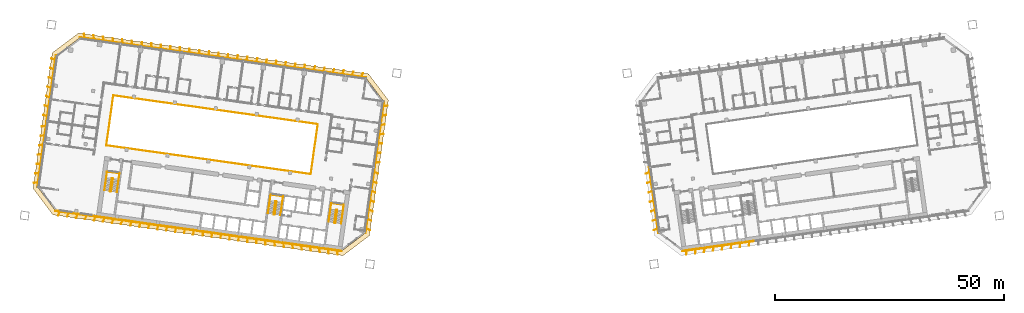
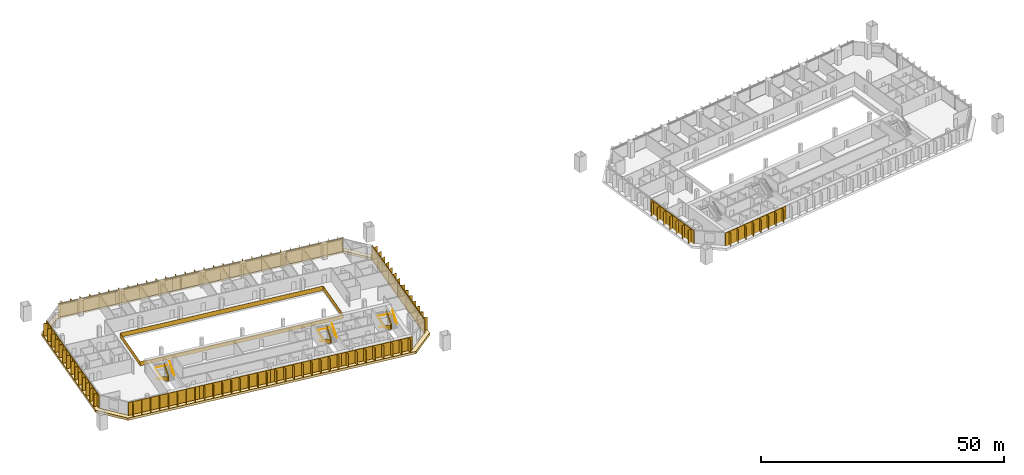
# One storey, part 23 of 24: 15 shading devices, 7 railings, 1 covering.
"""IFC4 building model written with IfcOpenShell, lengths in metres."""

from ifc_helpers import new_model, si_unit, direction, frame, origin, origin_2d, place, context, subcontext, project, spatial, polyline, rectangle, outline, extrude, material, layer, layer_set, type_object, element, save


model = new_model("IFC4")

# Units and contexts
model_context = context("Model", 3, precision=1e-05, world=origin(), true_north=direction((0.0, 1.0)))
body_context = subcontext(model_context, "Body", "Model", "MODEL_VIEW")
ifc_project = project(units=[si_unit("LENGTHUNIT", "METRE"), si_unit("AREAUNIT", "SQUARE_METRE"), si_unit("VOLUMEUNIT", "CUBIC_METRE"), si_unit("PLANEANGLEUNIT", "RADIAN"), si_unit("MASSUNIT", "GRAM", prefix="KILO")], contexts=[model_context])

# Site, building, storey
site_placement = place(None, origin())
site = spatial("IfcSite", under=ifc_project, at=site_placement, CompositionType="ELEMENT")
building_placement = place(site_placement, origin())
building = spatial("IfcBuilding", under=site, at=building_placement, Name="Mirante Cascada Hotel Towers", CompositionType="ELEMENT")
storey_placement = place(building_placement, frame((0.0, 0.0, 47.1)))
storey = spatial("IfcBuildingStorey", under=building, at=storey_placement, Name="L08", CompositionType="ELEMENT", Elevation=47.1)

# Railing
ifc_material_1 = material(Name="Toughened glass with stainless steel handrail", Category="steel")
railing_type_1 = type_object("IfcRailingType", Name="Atrium guard 1100 glass balustrade", PredefinedType="GUARDRAIL", material=ifc_material_1)
railing_1_placement = place(storey_placement, frame((-43.8418, -3.4881, 0.0)))
element("IfcRailing", 1, at=railing_1_placement, inside=storey, type_object=railing_type_1, Name="GUARD 1-L08-1", PredefinedType="GUARDRAIL", context=body_context, shape_type="SweptSolid", body=[
    extrude(rectangle(XDim=0.048, YDim=0.048, at=origin_2d()), frame((0.0, 0.0, 1.076), z_axis=(-0.9902681, 0.1391732, 0.0), x_axis=(-0.1391732, -0.9902681, 0.0)), (0.0, 0.0, 1.0), 45.0),
    extrude(rectangle(XDim=0.02, YDim=1.052, at=origin_2d()), frame((0.0, 0.0, 0.526), z_axis=(-0.9902681, 0.1391732, 0.0), x_axis=(-0.1391732, -0.9902681, 0.0)), (0.0, 0.0, 1.0), 45.0),
    extrude(rectangle(XDim=0.048, YDim=0.048, at=origin_2d()), frame((-44.5621, 6.2628, 1.076), z_axis=(0.1391721, 0.9902682, 0.0), x_axis=(-0.9902682, 0.1391721, 0.0)), (0.0, 0.0, 1.0), 11.0001),
    extrude(rectangle(XDim=0.02, YDim=1.052, at=origin_2d()), frame((-44.5621, 6.2628, 0.526), z_axis=(0.1391721, 0.9902682, 0.0), x_axis=(-0.9902682, 0.1391721, 0.0)), (0.0, 0.0, 1.0), 11.0001),
    extrude(rectangle(XDim=0.048, YDim=0.048, at=origin_2d()), frame((-43.0312, 17.1558, 1.076), z_axis=(0.9902681, -0.1391732, 0.0), x_axis=(0.1391732, 0.9902681, 0.0)), (0.0, 0.0, 1.0), 45.0),
    extrude(rectangle(XDim=0.02, YDim=1.052, at=origin_2d()), frame((-43.0312, 17.1558, 0.526), z_axis=(0.9902681, -0.1391732, 0.0), x_axis=(0.1391732, 0.9902681, 0.0)), (0.0, 0.0, 1.0), 45.0),
    extrude(rectangle(XDim=0.048, YDim=0.048, at=origin_2d()), frame((1.5309, 10.893, 1.076), z_axis=(-0.1391721, -0.9902682, 0.0), x_axis=(0.9902682, -0.1391721, 0.0)), (0.0, 0.0, 1.0), 11.0001),
    extrude(rectangle(XDim=0.02, YDim=1.052, at=origin_2d()), frame((1.5309, 10.893, 0.526), z_axis=(-0.1391721, -0.9902682, 0.0), x_axis=(0.9902682, -0.1391721, 0.0)), (0.0, 0.0, 1.0), 11.0001),
])

# Covering
ifc_material_2 = material(Name="Precast concrete C40/50 white", Category="concrete")
ifc_layer = layer(ifc_material_2, 0.6)
ifc_layer_set = layer_set([ifc_layer], Name="Precast concrete SUNSHADE band 1000x600")
covering_type = type_object("IfcCoveringType", Name="Precast concrete SUNSHADE band 1000x600", PredefinedType="CLADDING", material=ifc_layer_set)
covering_placement = place(storey_placement, frame((0.0, 0.0, -0.45)))
element("IfcCovering", 2, at=covering_placement, inside=storey, type_object=covering_type, Name="Precast concrete SUNSHADE band T1 L08", PredefinedType="CLADDING", context=body_context, shape_type="SweptSolid", body=[
    extrude(outline(polyline([(-104.3652, -6.6094), (-100.2139, 22.9287), (-94.4698, 27.2572), (-31.2626, 18.374), (-26.9341, 12.6299), (-31.0854, -16.9082), (-36.8295, -21.2367), (-100.0367, -12.3535), (-104.3652, -6.6094)]), holes=[polyline([(-27.982, 12.3589), (-31.8119, 17.4414), (-94.1988, 26.2093), (-99.2813, 22.3794), (-103.3173, -6.3384), (-99.4874, -11.4209), (-37.1005, -20.1888), (-32.018, -16.3589), (-27.982, 12.3589)])]), origin(), (0.0, 0.0, 1.0), 0.6),
])

# Railings
ifc_material_3 = material(Name="Painted steel", Category="steel")
railing_type_2 = type_object("IfcRailingType", Name="Stair guard 1100 steel balustrade", PredefinedType="GUARDRAIL", material=ifc_material_3)
railing_2_placement = place(storey_placement, frame((-38.1178, -11.2603, 0.0)))
element("IfcRailing", 3, at=railing_2_placement, inside=storey, type_object=railing_type_2, Name="L08 ST1-A stair guard 1", PredefinedType="GUARDRAIL", context=body_context, shape_type="SweptSolid", body=[
    extrude(rectangle(XDim=0.048, YDim=0.048, at=origin_2d()), frame((0.0, 0.0, 1.076), z_axis=(-0.9903326, 0.1387133, 0.0), x_axis=(-0.1387133, -0.9903326, 0.0)), (0.0, 0.0, 1.0), 0.1499),
    extrude(rectangle(XDim=0.02, YDim=1.052, at=origin_2d()), frame((0.0, 0.0, 0.526), z_axis=(-0.9903326, 0.1387133, 0.0), x_axis=(-0.1387133, -0.9903326, 0.0)), (0.0, 0.0, 1.0), 0.1499),
    extrude(rectangle(XDim=0.048, YDim=0.048, at=origin_2d()), frame((-0.1485, 0.0208, 1.076), z_axis=(-0.7991505, -0.6011309, 0.0), x_axis=(0.6011309, -0.7991505, 0.0)), (0.0, 0.9254529, 0.3788627), 0.1866),
    extrude(rectangle(XDim=0.02, YDim=1.052, at=origin_2d()), frame((-0.1485, 0.0208, 0.526), z_axis=(-0.7991505, -0.6011309, 0.0), x_axis=(0.6011309, -0.7991505, 0.0)), (0.0, 0.9254529, 0.3788627), 0.1866),
    extrude(rectangle(XDim=0.048, YDim=0.048, at=origin_2d()), frame((-0.205, -0.0217, 1.2487), z_axis=(-0.139176, -0.9902677, 0.0), x_axis=(0.9902677, -0.139176, 0.0)), (0.0, 0.5250212, 0.8510891), 3.29),
    extrude(rectangle(XDim=0.02, YDim=1.052, at=origin_2d()), frame((-0.205, -0.0217, 0.6987), z_axis=(-0.139176, -0.9902677, 0.0), x_axis=(0.9902677, -0.139176, 0.0)), (0.0, 0.5250212, 0.8510891), 3.29),
    extrude(rectangle(XDim=0.048, YDim=0.048, at=origin_2d()), frame((-0.5947, -2.7945, 2.976), z_axis=(0.9270311, -0.3749843, 0.0), x_axis=(0.3749843, 0.9270311, 0.0)), (0.0, 0.0, 1.0), 0.2061),
    extrude(rectangle(XDim=0.02, YDim=1.052, at=origin_2d()), frame((-0.5947, -2.7945, 2.426), z_axis=(0.9270311, -0.3749843, 0.0), x_axis=(0.3749843, 0.9270311, 0.0)), (0.0, 0.0, 1.0), 0.2061),
    extrude(rectangle(XDim=0.048, YDim=0.048, at=origin_2d()), frame((-0.4036, -2.8718, 2.976), z_axis=(-0.9902408, 0.1393672, 0.0), x_axis=(-0.1393672, -0.9902408, 0.0)), (0.0, 0.0, 1.0), 0.15),
    extrude(rectangle(XDim=0.02, YDim=1.052, at=origin_2d()), frame((-0.4036, -2.8718, 2.426), z_axis=(-0.9902408, 0.1393672, 0.0), x_axis=(-0.1393672, -0.9902408, 0.0)), (0.0, 0.0, 1.0), 0.15),
    extrude(rectangle(XDim=0.048, YDim=0.048, at=origin_2d()), frame((-0.5521, -2.8509, 2.976), z_axis=(0.9944948, 0.1047858, 0.0), x_axis=(-0.1047858, 0.9944948, 0.0)), (0.0, 0.6422034, 0.7665343), 0.2689),
    extrude(rectangle(XDim=0.02, YDim=1.052, at=origin_2d()), frame((-0.5521, -2.8509, 2.426), z_axis=(0.9944948, 0.1047858, 0.0), x_axis=(-0.1047858, 0.9944948, 0.0)), (0.0, 0.6422034, 0.7665343), 0.2689),
    extrude(rectangle(XDim=0.048, YDim=0.048, at=origin_2d()), frame((-0.3471, -2.8293, 3.1487), z_axis=(0.139176, 0.9902677, 0.0), x_axis=(-0.9902677, 0.139176, 0.0)), (0.0, 0.5250212, 0.8510891), 3.29),
    extrude(rectangle(XDim=0.02, YDim=1.052, at=origin_2d()), frame((-0.3471, -2.8293, 2.5987), z_axis=(0.139176, 0.9902677, 0.0), x_axis=(-0.9902677, 0.139176, 0.0)), (0.0, 0.5250212, 0.8510891), 3.29),
])
railing_3_placement = place(storey_placement, frame((-51.3379, -9.4024, 0.0)))
element("IfcRailing", 4, at=railing_3_placement, inside=storey, type_object=railing_type_2, Name="L08 ST1-B stair guard 1", PredefinedType="GUARDRAIL", context=body_context, shape_type="SweptSolid", body=[
    extrude(rectangle(XDim=0.048, YDim=0.048, at=origin_2d()), frame((0.0, 0.0, 1.076), z_axis=(-0.9902408, 0.1393672, 0.0), x_axis=(-0.1393672, -0.9902408, 0.0)), (0.0, 0.0, 1.0), 0.15),
    extrude(rectangle(XDim=0.02, YDim=1.052, at=origin_2d()), frame((0.0, 0.0, 0.526), z_axis=(-0.9902408, 0.1393672, 0.0), x_axis=(-0.1393672, -0.9902408, 0.0)), (0.0, 0.0, 1.0), 0.15),
    extrude(rectangle(XDim=0.048, YDim=0.048, at=origin_2d()), frame((-0.1485, 0.0209, 1.076), z_axis=(-0.7984711, -0.6020331, 0.0), x_axis=(0.6020331, -0.7984711, 0.0)), (0.0, 0.9253398, 0.3791387), 0.1866),
    extrude(rectangle(XDim=0.02, YDim=1.052, at=origin_2d()), frame((-0.1485, 0.0209, 0.526), z_axis=(-0.7984711, -0.6020331, 0.0), x_axis=(0.6020331, -0.7984711, 0.0)), (0.0, 0.9253398, 0.3791387), 0.1866),
    extrude(rectangle(XDim=0.048, YDim=0.048, at=origin_2d()), frame((-0.205, -0.0217, 1.2487), z_axis=(-0.139181, -0.990267, 0.0), x_axis=(0.990267, -0.139181, 0.0)), (0.0, 0.5250347, 0.8510808), 3.2899),
    extrude(rectangle(XDim=0.02, YDim=1.052, at=origin_2d()), frame((-0.205, -0.0217, 0.6987), z_axis=(-0.139181, -0.990267, 0.0), x_axis=(0.990267, -0.139181, 0.0)), (0.0, 0.5250347, 0.8510808), 3.2899),
    extrude(rectangle(XDim=0.048, YDim=0.048, at=origin_2d()), frame((-0.5947, -2.7944, 2.976), z_axis=(0.9268624, -0.3754011, 0.0), x_axis=(0.3754011, 0.9268624, 0.0)), (0.0, 0.0, 1.0), 0.2062),
    extrude(rectangle(XDim=0.02, YDim=1.052, at=origin_2d()), frame((-0.5947, -2.7944, 2.426), z_axis=(0.9268624, -0.3754011, 0.0), x_axis=(0.3754011, 0.9268624, 0.0)), (0.0, 0.0, 1.0), 0.2062),
    extrude(rectangle(XDim=0.048, YDim=0.048, at=origin_2d()), frame((-0.4036, -2.8718, 2.976), z_axis=(-0.9902408, 0.1393672, 0.0), x_axis=(-0.1393672, -0.9902408, 0.0)), (0.0, 0.0, 1.0), 0.15),
    extrude(rectangle(XDim=0.02, YDim=1.052, at=origin_2d()), frame((-0.4036, -2.8718, 2.426), z_axis=(-0.9902408, 0.1393672, 0.0), x_axis=(-0.1393672, -0.9902408, 0.0)), (0.0, 0.0, 1.0), 0.15),
    extrude(rectangle(XDim=0.048, YDim=0.048, at=origin_2d()), frame((-0.5521, -2.8509, 2.976), z_axis=(0.9944441, 0.1052656, 0.0), x_axis=(-0.1052656, 0.9944441, 0.0)), (0.0, 0.6421842, 0.7665504), 0.2689),
    extrude(rectangle(XDim=0.02, YDim=1.052, at=origin_2d()), frame((-0.5521, -2.8509, 2.426), z_axis=(0.9944441, 0.1052656, 0.0), x_axis=(-0.1052656, 0.9944441, 0.0)), (0.0, 0.6421842, 0.7665504), 0.2689),
    extrude(rectangle(XDim=0.048, YDim=0.048, at=origin_2d()), frame((-0.3471, -2.8292, 3.1487), z_axis=(0.139181, 0.990267, 0.0), x_axis=(-0.990267, 0.139181, 0.0)), (0.0, 0.5250347, 0.8510808), 3.2899),
    extrude(rectangle(XDim=0.02, YDim=1.052, at=origin_2d()), frame((-0.3471, -2.8292, 2.5987), z_axis=(0.139181, 0.990267, 0.0), x_axis=(-0.990267, 0.139181, 0.0)), (0.0, 0.5250347, 0.8510808), 3.2899),
])
railing_4_placement = place(storey_placement, frame((-86.9875, -4.3922, 0.0)))
element("IfcRailing", 5, at=railing_4_placement, inside=storey, type_object=railing_type_2, Name="L08 ST1-C stair guard 1", PredefinedType="GUARDRAIL", context=body_context, shape_type="SweptSolid", body=[
    extrude(rectangle(XDim=0.048, YDim=0.048, at=origin_2d()), frame((0.0, 0.0, 1.076), z_axis=(-0.9902537, 0.1392753, 0.0), x_axis=(-0.1392753, -0.9902537, 0.0)), (0.0, 0.0, 1.0), 0.1501),
    extrude(rectangle(XDim=0.02, YDim=1.052, at=origin_2d()), frame((0.0, 0.0, 0.526), z_axis=(-0.9902537, 0.1392753, 0.0), x_axis=(-0.1392753, -0.9902537, 0.0)), (0.0, 0.0, 1.0), 0.1501),
    extrude(rectangle(XDim=0.048, YDim=0.048, at=origin_2d()), frame((-0.1486, 0.0209, 1.076), z_axis=(-0.7986386, -0.601811, 0.0), x_axis=(0.601811, -0.7986386, 0.0)), (0.0, 0.925603, 0.3784959), 0.1866),
    extrude(rectangle(XDim=0.02, YDim=1.052, at=origin_2d()), frame((-0.1486, 0.0209, 0.526), z_axis=(-0.7986386, -0.601811, 0.0), x_axis=(0.601811, -0.7986386, 0.0)), (0.0, 0.925603, 0.3784959), 0.1866),
    extrude(rectangle(XDim=0.048, YDim=0.048, at=origin_2d()), frame((-0.205, -0.0216, 1.2487), z_axis=(-0.139176, -0.9902677, 0.0), x_axis=(0.9902677, -0.139176, 0.0)), (0.0, 0.5250212, 0.8510891), 3.29),
    extrude(rectangle(XDim=0.02, YDim=1.052, at=origin_2d()), frame((-0.205, -0.0216, 0.6987), z_axis=(-0.139176, -0.9902677, 0.0), x_axis=(0.9902677, -0.139176, 0.0)), (0.0, 0.5250212, 0.8510891), 3.29),
    extrude(rectangle(XDim=0.048, YDim=0.048, at=origin_2d()), frame((-0.5947, -2.7944, 2.976), z_axis=(0.9270311, -0.3749843, 0.0), x_axis=(0.3749843, 0.9270311, 0.0)), (0.0, 0.0, 1.0), 0.2061),
    extrude(rectangle(XDim=0.02, YDim=1.052, at=origin_2d()), frame((-0.5947, -2.7944, 2.426), z_axis=(0.9270311, -0.3749843, 0.0), x_axis=(0.3749843, 0.9270311, 0.0)), (0.0, 0.0, 1.0), 0.2061),
    extrude(rectangle(XDim=0.048, YDim=0.048, at=origin_2d()), frame((-0.4036, -2.8717, 2.976), z_axis=(-0.9903454, 0.1386217, 0.0), x_axis=(-0.1386217, -0.9903454, 0.0)), (0.0, 0.0, 1.0), 0.15),
    extrude(rectangle(XDim=0.02, YDim=1.052, at=origin_2d()), frame((-0.4036, -2.8717, 2.426), z_axis=(-0.9903454, 0.1386217, 0.0), x_axis=(-0.1386217, -0.9903454, 0.0)), (0.0, 0.0, 1.0), 0.15),
    extrude(rectangle(XDim=0.048, YDim=0.048, at=origin_2d()), frame((-0.5522, -2.8509, 2.976), z_axis=(0.9944441, 0.1052656, 0.0), x_axis=(-0.1052656, 0.9944441, 0.0)), (0.0, 0.6421842, 0.7665504), 0.2689),
    extrude(rectangle(XDim=0.02, YDim=1.052, at=origin_2d()), frame((-0.5522, -2.8509, 2.426), z_axis=(0.9944441, 0.1052656, 0.0), x_axis=(-0.1052656, 0.9944441, 0.0)), (0.0, 0.6421842, 0.7665504), 0.2689),
    extrude(rectangle(XDim=0.048, YDim=0.048, at=origin_2d()), frame((-0.3472, -2.8292, 3.1487), z_axis=(0.139176, 0.9902677, 0.0), x_axis=(-0.9902677, 0.139176, 0.0)), (0.0, 0.5250212, 0.8510891), 3.29),
    extrude(rectangle(XDim=0.02, YDim=1.052, at=origin_2d()), frame((-0.3472, -2.8292, 2.5987), z_axis=(0.139176, 0.9902677, 0.0), x_axis=(-0.9902677, 0.139176, 0.0)), (0.0, 0.5250212, 0.8510891), 3.29),
])
ifc_material_4 = material(Name="Painted steel", Category="steel")
railing_type_3 = type_object("IfcRailingType", Name="Stair handrail 900 steel tube", PredefinedType="HANDRAIL", material=ifc_material_4)
railing_5_placement = place(storey_placement, frame((-39.5606, -11.1081, 0.1727)))
element("IfcRailing", 6, at=railing_5_placement, inside=storey, type_object=railing_type_3, Name="L08 ST1-A stair handrail 1", PredefinedType="HANDRAIL", context=body_context, shape_type="SweptSolid", body=[
    extrude(rectangle(XDim=0.048, YDim=0.048, at=origin_2d()), frame((0.0, 0.0, 0.876), z_axis=(-0.139181, -0.990267, 0.0), x_axis=(0.990267, -0.139181, 0.0)), (0.0, 0.5250347, 0.8510808), 3.2899),
    extrude(rectangle(XDim=0.048, YDim=0.048, at=origin_2d()), frame((-0.3897, -2.7727, 2.6033), z_axis=(0.1391707, 0.9902684, 0.0), x_axis=(-0.9902684, 0.1391707, 0.0)), (0.0, 0.0420846, 0.999114), 4.1036),
    extrude(rectangle(XDim=0.048, YDim=0.048, at=origin_2d()), frame((0.1809, 1.2874, 2.776), z_axis=(0.9902691, -0.1391657, 0.0), x_axis=(0.1391657, 0.9902691, 0.0)), (0.0, 0.0, 1.0), 2.75),
    extrude(rectangle(XDim=0.048, YDim=0.048, at=origin_2d()), frame((2.9041, 0.9047, 2.776), z_axis=(-0.1391707, -0.9902684, 0.0), x_axis=(0.9902684, -0.1391707, 0.0)), (0.0, 0.0, 1.0), 4.1),
    extrude(rectangle(XDim=0.048, YDim=0.048, at=origin_2d()), frame((2.3335, -3.1554, 2.776), z_axis=(0.139181, 0.990267, 0.0), x_axis=(-0.990267, 0.139181, 0.0)), (0.0, 0.5250347, 0.8510808), 3.2899),
])
railing_6_placement = place(storey_placement, frame((-52.7807, -9.2501, 0.1727)))
element("IfcRailing", 7, at=railing_6_placement, inside=storey, type_object=railing_type_3, Name="L08 ST1-B stair handrail 1", PredefinedType="HANDRAIL", context=body_context, shape_type="SweptSolid", body=[
    extrude(rectangle(XDim=0.048, YDim=0.048, at=origin_2d()), frame((0.0, 0.0, 0.876), z_axis=(-0.139181, -0.990267, 0.0), x_axis=(0.990267, -0.139181, 0.0)), (0.0, 0.5250347, 0.8510808), 3.2899),
    extrude(rectangle(XDim=0.048, YDim=0.048, at=origin_2d()), frame((-0.3897, -2.7727, 2.6033), z_axis=(0.1391707, 0.9902684, 0.0), x_axis=(-0.9902684, 0.1391707, 0.0)), (0.0, 0.0420846, 0.999114), 4.1036),
    extrude(rectangle(XDim=0.048, YDim=0.048, at=origin_2d()), frame((0.1809, 1.2874, 2.776), z_axis=(0.9902641, -0.1392013, 0.0), x_axis=(0.1392013, 0.9902641, 0.0)), (0.0, 0.0, 1.0), 2.75),
    extrude(rectangle(XDim=0.048, YDim=0.048, at=origin_2d()), frame((2.9041, 0.9046, 2.776), z_axis=(-0.1391707, -0.9902684, 0.0), x_axis=(0.9902684, -0.1391707, 0.0)), (0.0, 0.0, 1.0), 4.1),
    extrude(rectangle(XDim=0.048, YDim=0.048, at=origin_2d()), frame((2.3335, -3.1555, 2.776), z_axis=(0.139176, 0.9902677, 0.0), x_axis=(-0.9902677, 0.139176, 0.0)), (0.0, 0.5250212, 0.8510891), 3.29),
])
railing_7_placement = place(storey_placement, frame((-88.4304, -4.2399, 0.1727)))
element("IfcRailing", 8, at=railing_7_placement, inside=storey, type_object=railing_type_3, Name="L08 ST1-C stair handrail 1", PredefinedType="HANDRAIL", context=body_context, shape_type="SweptSolid", body=[
    extrude(rectangle(XDim=0.048, YDim=0.048, at=origin_2d()), frame((0.0, 0.0, 0.876), z_axis=(-0.139181, -0.990267, 0.0), x_axis=(0.990267, -0.139181, 0.0)), (0.0, 0.5250347, 0.8510808), 3.2899),
    extrude(rectangle(XDim=0.048, YDim=0.048, at=origin_2d()), frame((-0.3897, -2.7727, 2.6033), z_axis=(0.1391947, 0.990265, 0.0), x_axis=(-0.990265, 0.1391947, 0.0)), (0.0, 0.0420845, 0.9991141), 4.1036),
    extrude(rectangle(XDim=0.048, YDim=0.048, at=origin_2d()), frame((0.181, 1.2874, 2.776), z_axis=(0.9902691, -0.1391657, 0.0), x_axis=(0.1391657, 0.9902691, 0.0)), (0.0, 0.0, 1.0), 2.75),
    extrude(rectangle(XDim=0.048, YDim=0.048, at=origin_2d()), frame((2.9042, 0.9047, 2.776), z_axis=(-0.1391707, -0.9902684, 0.0), x_axis=(0.9902684, -0.1391707, 0.0)), (0.0, 0.0, 1.0), 4.1),
    extrude(rectangle(XDim=0.048, YDim=0.048, at=origin_2d()), frame((2.3336, -3.1554, 2.776), z_axis=(0.139181, 0.990267, 0.0), x_axis=(-0.990267, 0.139181, 0.0)), (0.0, 0.5250347, 0.8510808), 3.2899),
])

# Shading devices
ifc_material_5 = material(Name="White precast concrete C50/60 fin", Category="concrete")
shading_device_type = type_object("IfcShadingDeviceType", Name="Vertical fin set 4500x900", PredefinedType="USERDEFINED", material=ifc_material_5)
shading_device_1_placement = place(storey_placement, origin())
element("IfcShadingDevice", 9, at=shading_device_1_placement, inside=storey, type_object=shading_device_type, Name="FIN T1 L08 front 1", ObjectType="FIN", PredefinedType="USERDEFINED", context=body_context, shape_type="SweptSolid", body=[
    extrude(outline(polyline([(-82.8173, 25.599), (-82.7126, 24.7465), (-81.7006, 24.6042), (-81.7214, 24.4557), (-94.1988, 26.2093), (-94.1779, 26.3578), (-93.1924, 26.2193), (-93.2945, 27.0506), (-93.2151, 27.0603), (-93.1104, 26.2078), (-91.1129, 25.9271), (-91.2149, 26.7583), (-91.1355, 26.7681), (-91.0308, 25.9155), (-89.0333, 25.6348), (-89.1354, 26.4661), (-89.056, 26.4758), (-88.9513, 25.6233), (-86.9537, 25.3425), (-87.0558, 26.1738), (-86.9764, 26.1835), (-86.8717, 25.331), (-84.8742, 25.0503), (-84.9762, 25.8815), (-84.8968, 25.8913), (-84.7922, 25.0387), (-82.7946, 24.758), (-82.8967, 25.5893), (-82.8173, 25.599)])), origin(), (0.0, 0.0, 1.0), 3.35),
])
shading_device_2_placement = place(storey_placement, origin())
element("IfcShadingDevice", 10, at=shading_device_2_placement, inside=storey, type_object=shading_device_type, Name="FIN T1 L08 front 2", ObjectType="FIN", PredefinedType="USERDEFINED", context=body_context, shape_type="SweptSolid", body=[
    extrude(outline(polyline([(-70.2221, 23.8469), (-70.2295, 22.9921), (-69.2232, 22.8507), (-69.2441, 22.7021), (-81.7214, 24.4557), (-81.7006, 24.6042), (-80.7072, 24.4646), (-80.6999, 25.3089), (-80.6199, 25.3082), (-80.6273, 24.4534), (-78.6277, 24.1724), (-78.6203, 25.0166), (-78.5403, 25.0159), (-78.5478, 24.1611), (-76.5481, 23.8801), (-76.5407, 24.7244), (-76.4608, 24.7237), (-76.4682, 23.8689), (-74.4686, 23.5878), (-74.4612, 24.4321), (-74.3812, 24.4314), (-74.3886, 23.5766), (-72.389, 23.2956), (-72.3816, 24.1399), (-72.3016, 24.1392), (-72.3091, 23.2844), (-70.3094, 23.0033), (-70.3021, 23.8476), (-70.2221, 23.8469)])), origin(), (0.0, 0.0, 1.0), 3.35),
])
shading_device_3_placement = place(storey_placement, origin())
element("IfcShadingDevice", 11, at=shading_device_3_placement, inside=storey, type_object=shading_device_type, Name="FIN T1 L08 front 3", ObjectType="FIN", PredefinedType="USERDEFINED", context=body_context, shape_type="SweptSolid", body=[
    extrude(outline(polyline([(-57.6277, 22.0794), (-57.746, 21.2376), (-56.7458, 21.0971), (-56.7667, 20.9485), (-69.2441, 22.7021), (-69.2232, 22.8507), (-68.223, 22.7101), (-68.1047, 23.5518), (-68.0255, 23.5407), (-68.1438, 22.699), (-66.1434, 22.4178), (-66.0251, 23.2596), (-65.9459, 23.2484), (-66.0642, 22.4067), (-64.0639, 22.1256), (-63.9456, 22.9673), (-63.8664, 22.9562), (-63.9847, 22.1144), (-61.9843, 21.8333), (-61.866, 22.675), (-61.7868, 22.6639), (-61.9051, 21.8222), (-59.9048, 21.541), (-59.7865, 22.3828), (-59.7072, 22.3716), (-59.8255, 21.5299), (-57.8252, 21.2488), (-57.7069, 22.0905), (-57.6277, 22.0794)])), origin(), (0.0, 0.0, 1.0), 3.35),
])
shading_device_4_placement = place(storey_placement, origin())
element("IfcShadingDevice", 12, at=shading_device_4_placement, inside=storey, type_object=shading_device_type, Name="FIN T1 L08 front 4", ObjectType="FIN", PredefinedType="USERDEFINED", context=body_context, shape_type="SweptSolid", body=[
    extrude(outline(polyline([(-45.0361, 20.2967), (-45.2617, 19.4831), (-44.2684, 19.3435), (-44.2893, 19.195), (-56.7667, 20.9485), (-56.7458, 21.0971), (-55.7394, 20.9556), (-55.511, 21.7794), (-55.4339, 21.758), (-55.6595, 20.9444), (-53.6599, 20.6634), (-53.4314, 21.4871), (-53.3544, 21.4657), (-53.58, 20.6521), (-51.5803, 20.3711), (-51.3519, 21.1949), (-51.2748, 21.1735), (-51.5004, 20.3599), (-49.5008, 20.0789), (-49.2723, 20.9026), (-49.1952, 20.8812), (-49.4209, 20.0676), (-47.4212, 19.7866), (-47.1928, 20.6103), (-47.1157, 20.589), (-47.3413, 19.7754), (-45.3416, 19.4943), (-45.1132, 20.3181), (-45.0361, 20.2967)])), origin(), (0.0, 0.0, 1.0), 3.35),
])
shading_device_5_placement = place(storey_placement, origin())
element("IfcShadingDevice", 13, at=shading_device_5_placement, inside=storey, type_object=shading_device_type, Name="FIN T1 L08 front 5", ObjectType="FIN", PredefinedType="USERDEFINED", context=body_context, shape_type="SweptSolid", body=[
    extrude(outline(polyline([(-32.4493, 18.4994), (-32.7765, 17.7284), (-31.791, 17.5899), (-31.8119, 17.4414), (-44.2893, 19.195), (-44.2684, 19.3435), (-43.2564, 19.2013), (-42.9208, 19.9919), (-42.8471, 19.9607), (-43.1744, 19.1897), (-41.1768, 18.909), (-40.8412, 19.6997), (-40.7676, 19.6684), (-41.0948, 18.8975), (-39.0973, 18.6167), (-38.7616, 19.4074), (-38.688, 19.3761), (-39.0152, 18.6052), (-37.0177, 18.3245), (-36.6821, 19.1151), (-36.6084, 19.0839), (-36.9357, 18.3129), (-34.9381, 18.0322), (-34.6025, 18.8229), (-34.5289, 18.7916), (-34.8561, 18.0207), (-32.8586, 17.7399), (-32.5229, 18.5306), (-32.4493, 18.4994)])), origin(), (0.0, 0.0, 1.0), 3.35),
])
shading_device_6_placement = place(storey_placement, origin())
element("IfcShadingDevice", 14, at=shading_device_6_placement, inside=storey, type_object=shading_device_type, Name="FIN T1 L08 inner 1", ObjectType="FIN", PredefinedType="USERDEFINED", context=body_context, shape_type="SweptSolid", body=[
    extrude(outline(polyline([(-29.7112, -1.023), (-29.8515, -2.0209), (-30.0, -2.0), (-27.982, 12.3589), (-27.8334, 12.338), (-27.97, 11.3667), (-27.1387, 11.4687), (-27.1289, 11.3893), (-27.9815, 11.2846), (-28.2583, 9.3154), (-27.427, 9.4174), (-27.4172, 9.338), (-28.2698, 9.2334), (-28.5465, 7.2641), (-27.7153, 7.3662), (-27.7055, 7.2868), (-28.5581, 7.1821), (-28.8348, 5.2128), (-28.0036, 5.3149), (-27.9938, 5.2355), (-28.8464, 5.1308), (-29.1231, 3.1616), (-28.2918, 3.2636), (-28.2821, 3.1842), (-29.1346, 3.0796), (-29.4114, 1.1103), (-28.5801, 1.2124), (-28.5704, 1.133), (-29.4229, 1.0283), (-29.6997, -0.941), (-28.8684, -0.8389), (-28.8587, -0.9183), (-29.7112, -1.023)])), origin(), (0.0, 0.0, 1.0), 3.35),
])
shading_device_7_placement = place(storey_placement, origin())
element("IfcShadingDevice", 15, at=shading_device_7_placement, inside=storey, type_object=shading_device_type, Name="FIN T1 L08 inner 2", ObjectType="FIN", PredefinedType="USERDEFINED", context=body_context, shape_type="SweptSolid", body=[
    extrude(outline(polyline([(-31.733, -15.4084), (-31.8695, -16.3798), (-32.018, -16.3589), (-30.0, -2.0), (-29.8515, -2.0209), (-29.9917, -3.0188), (-29.201, -3.3544), (-29.2323, -3.428), (-30.0032, -3.1008), (-30.28, -5.07), (-29.4893, -5.4057), (-29.5206, -5.4793), (-30.2915, -5.1521), (-30.5683, -7.1213), (-29.7776, -7.4569), (-29.8089, -7.5306), (-30.5798, -7.2033), (-30.8566, -9.1726), (-30.0659, -9.5082), (-30.0972, -9.5818), (-30.8681, -9.2546), (-31.1449, -11.2238), (-30.3542, -11.5595), (-30.3854, -11.6331), (-31.1564, -11.3059), (-31.4331, -13.2751), (-30.6425, -13.6107), (-30.6737, -13.6844), (-31.4447, -13.3571), (-31.7214, -15.3264), (-30.9308, -15.662), (-30.962, -15.7356), (-31.733, -15.4084)])), origin(), (0.0, 0.0, 1.0), 3.35),
])
shading_device_8_placement = place(storey_placement, origin())
element("IfcShadingDevice", 16, at=shading_device_8_placement, inside=storey, type_object=shading_device_type, Name="FIN T1 L08 outer 1", ObjectType="FIN", PredefinedType="USERDEFINED", context=body_context, shape_type="SweptSolid", body=[
    extrude(outline(polyline([(-103.3178, -5.2642), (-103.041, -3.2949), (-103.8723, -3.397), (-103.8821, -3.3176), (-103.0295, -3.2129), (-102.7528, -1.2436), (-103.584, -1.3457), (-103.5938, -1.2663), (-102.7412, -1.1616), (-102.4645, 0.8076), (-103.2957, 0.7056), (-103.3055, 0.785), (-102.4529, 0.8896), (-102.1762, 2.8589), (-103.0075, 2.7568), (-103.0172, 2.8362), (-102.1647, 2.9409), (-101.8879, 4.9102), (-102.7192, 4.8081), (-102.7289, 4.8875), (-101.8764, 4.9922), (-101.5996, 6.9614), (-102.4309, 6.8594), (-102.4406, 6.9388), (-101.5881, 7.0434), (-101.4478, 8.0413), (-101.2993, 8.0205), (-103.3173, -6.3384), (-103.4659, -6.3175), (-103.3293, -5.3462), (-104.1606, -5.4483), (-104.1704, -5.3689), (-103.3178, -5.2642)])), origin(), (0.0, 0.0, 1.0), 3.35),
])
shading_device_9_placement = place(storey_placement, origin())
element("IfcShadingDevice", 17, at=shading_device_9_placement, inside=storey, type_object=shading_device_type, Name="FIN T1 L08 outer 2", ObjectType="FIN", PredefinedType="USERDEFINED", context=body_context, shape_type="SweptSolid", body=[
    extrude(outline(polyline([(-101.2961, 9.1212), (-101.0193, 11.0905), (-101.81, 11.4261), (-101.7787, 11.4998), (-101.0078, 11.1725), (-100.731, 13.1418), (-101.5217, 13.4774), (-101.4904, 13.551), (-100.7195, 13.2238), (-100.4427, 15.193), (-101.2334, 15.5287), (-101.2021, 15.6023), (-100.4312, 15.2751), (-100.1544, 17.2443), (-100.9451, 17.5799), (-100.9139, 17.6536), (-100.1429, 17.3263), (-99.8662, 19.2956), (-100.6568, 19.6312), (-100.6256, 19.7048), (-99.8546, 19.3776), (-99.5779, 21.3469), (-100.3685, 21.6825), (-100.3373, 21.7561), (-99.5663, 21.4289), (-99.4298, 22.4002), (-99.2813, 22.3794), (-101.2993, 8.0205), (-101.4478, 8.0413), (-101.3076, 9.0392), (-102.0983, 9.3749), (-102.067, 9.4485), (-101.2961, 9.1212)])), origin(), (0.0, 0.0, 1.0), 3.35),
])
shading_device_10_placement = place(storey_placement, origin())
element("IfcShadingDevice", 18, at=shading_device_10_placement, inside=storey, type_object=shading_device_type, Name="FIN T1 L08 rear 1", ObjectType="FIN", PredefinedType="USERDEFINED", context=body_context, shape_type="SweptSolid", body=[
    extrude(outline(polyline([(-38.1239, -20.1965), (-39.9915, -19.934), (-39.8894, -20.7653), (-39.9688, -20.775), (-40.0735, -19.9225), (-41.9411, -19.66), (-41.839, -20.4913), (-41.9184, -20.501), (-42.0231, -19.6485), (-43.8907, -19.386), (-43.7886, -20.2173), (-43.868, -20.227), (-43.9727, -19.3745), (-45.8403, -19.112), (-45.7382, -19.9433), (-45.8176, -19.953), (-45.9223, -19.1005), (-47.7898, -18.838), (-47.6878, -19.6693), (-47.7672, -19.679), (-47.8719, -18.8265), (-49.7394, -18.564), (-49.6374, -19.3953), (-49.7168, -19.405), (-49.8214, -18.5525), (-51.689, -18.29), (-51.587, -19.1213), (-51.6664, -19.131), (-51.771, -18.2785), (-52.7181, -18.1454), (-52.6972, -17.9968), (-37.1005, -20.1888), (-37.1214, -20.3374), (-38.0419, -20.208), (-37.9398, -21.0393), (-38.0192, -21.049), (-38.1239, -20.1965)])), origin(), (0.0, 0.0, 1.0), 3.35),
])
shading_device_11_placement = place(storey_placement, origin())
element("IfcShadingDevice", 19, at=shading_device_11_placement, inside=storey, type_object=shading_device_type, Name="FIN T1 L08 rear 2", ObjectType="FIN", PredefinedType="USERDEFINED", context=body_context, shape_type="SweptSolid", body=[
    extrude(outline(polyline([(-53.7283, -18.0034), (-55.5984, -17.7406), (-55.6427, -18.5857), (-55.7226, -18.5815), (-55.6779, -17.7294), (-57.548, -17.4666), (-57.5923, -18.3117), (-57.6722, -18.3075), (-57.6275, -17.4554), (-59.4976, -17.1926), (-59.5419, -18.0377), (-59.6217, -18.0335), (-59.5771, -17.1814), (-61.4472, -16.9186), (-61.4914, -17.7637), (-61.5713, -17.7596), (-61.5267, -16.9074), (-63.3967, -16.6446), (-63.441, -17.4897), (-63.5209, -17.4856), (-63.4763, -16.6334), (-65.3463, -16.3706), (-65.3906, -17.2157), (-65.4705, -17.2116), (-65.4259, -16.3594), (-67.2959, -16.0966), (-67.3402, -16.9417), (-67.4201, -16.9376), (-67.3755, -16.0854), (-68.3148, -15.9534), (-68.2939, -15.8049), (-52.6972, -17.9968), (-52.7181, -18.1454), (-53.6488, -18.0146), (-53.6931, -18.8597), (-53.773, -18.8555), (-53.7283, -18.0034)])), origin(), (0.0, 0.0, 1.0), 3.35),
])
shading_device_12_placement = place(storey_placement, origin())
element("IfcShadingDevice", 20, at=shading_device_12_placement, inside=storey, type_object=shading_device_type, Name="FIN T1 L08 rear 3", ObjectType="FIN", PredefinedType="USERDEFINED", context=body_context, shape_type="SweptSolid", body=[
    extrude(outline(polyline([(-69.3337, -15.8102), (-71.2038, -15.5474), (-71.3957, -16.3788), (-71.4737, -16.3608), (-71.2833, -15.5362), (-73.1534, -15.2734), (-73.3453, -16.1048), (-73.4233, -16.0868), (-73.2329, -15.2622), (-75.103, -14.9994), (-75.2949, -15.8308), (-75.3729, -15.8128), (-75.1825, -14.9882), (-77.0525, -14.7254), (-77.2445, -15.5568), (-77.3224, -15.5388), (-77.1321, -14.7142), (-79.0021, -14.4514), (-79.1941, -15.2828), (-79.272, -15.2648), (-79.0817, -14.4402), (-80.9517, -14.1774), (-81.1437, -15.0088), (-81.2216, -14.9908), (-81.0312, -14.1662), (-82.9013, -13.9034), (-83.0933, -14.7348), (-83.1712, -14.7168), (-82.9808, -13.8922), (-83.9115, -13.7614), (-83.8907, -13.6129), (-68.2939, -15.8049), (-68.3148, -15.9534), (-69.2542, -15.8214), (-69.4461, -16.6528), (-69.5241, -16.6348), (-69.3337, -15.8102)])), origin(), (0.0, 0.0, 1.0), 3.35),
])
shading_device_13_placement = place(storey_placement, origin())
element("IfcShadingDevice", 21, at=shading_device_13_placement, inside=storey, type_object=shading_device_type, Name="FIN T1 L08 rear 4", ObjectType="FIN", PredefinedType="USERDEFINED", context=body_context, shape_type="SweptSolid", body=[
    extrude(outline(polyline([(-84.9406, -13.6168), (-86.8082, -13.3543), (-87.1438, -14.145), (-87.2174, -14.1137), (-86.8902, -13.3428), (-88.7578, -13.0803), (-89.0934, -13.871), (-89.167, -13.8397), (-88.8398, -13.0688), (-90.7074, -12.8063), (-91.043, -13.597), (-91.1166, -13.5657), (-90.7894, -12.7948), (-92.657, -12.5323), (-92.9926, -13.323), (-93.0662, -13.2918), (-92.739, -12.5208), (-94.6065, -12.2583), (-94.9422, -13.049), (-95.0158, -13.0178), (-94.6886, -12.2468), (-96.5561, -11.9843), (-96.8918, -12.775), (-96.9654, -12.7438), (-96.6381, -11.9728), (-98.5057, -11.7103), (-98.8413, -12.501), (-98.915, -12.4698), (-98.5877, -11.6988), (-99.5083, -11.5694), (-99.4874, -11.4209), (-83.8907, -13.6129), (-83.9115, -13.7614), (-84.8586, -13.6283), (-85.1942, -14.419), (-85.2679, -14.3877), (-84.9406, -13.6168)])), origin(), (0.0, 0.0, 1.0), 3.35),
])
shading_device_14_placement = place(storey_placement, origin())
element("IfcShadingDevice", 22, at=shading_device_14_placement, inside=storey, type_object=shading_device_type, Name="FIN T2 L08 inner 2", ObjectType="FIN", PredefinedType="USERDEFINED", context=body_context, shape_type="SweptSolid", body=[
    extrude(outline(polyline([(30.9308, -15.662), (31.7214, -15.3264), (31.4447, -13.3571), (30.6737, -13.6844), (30.6425, -13.6107), (31.4331, -13.2751), (31.1564, -11.3059), (30.3854, -11.6331), (30.3542, -11.5595), (31.1449, -11.2238), (30.8681, -9.2546), (30.0972, -9.5818), (30.0659, -9.5082), (30.8566, -9.1726), (30.5798, -7.2033), (29.8089, -7.5306), (29.7776, -7.4569), (30.5683, -7.1213), (30.2915, -5.1521), (29.5206, -5.4793), (29.4893, -5.4057), (30.28, -5.07), (30.0032, -3.1008), (29.2323, -3.428), (29.201, -3.3544), (29.9917, -3.0188), (29.8515, -2.0209), (30.0, -2.0), (32.018, -16.3589), (31.8695, -16.3798), (31.733, -15.4084), (30.962, -15.7356), (30.9308, -15.662)])), origin(), (0.0, 0.0, 1.0), 3.35),
])
shading_device_15_placement = place(storey_placement, origin())
element("IfcShadingDevice", 23, at=shading_device_15_placement, inside=storey, type_object=shading_device_type, Name="FIN T2 L08 rear 1", ObjectType="FIN", PredefinedType="USERDEFINED", context=body_context, shape_type="SweptSolid", body=[
    extrude(outline(polyline([(37.9398, -21.0393), (38.0419, -20.208), (37.1214, -20.3374), (37.1005, -20.1888), (52.6972, -17.9968), (52.7181, -18.1454), (51.771, -18.2785), (51.6664, -19.131), (51.587, -19.1213), (51.689, -18.29), (49.8214, -18.5525), (49.7168, -19.405), (49.6374, -19.3953), (49.7394, -18.564), (47.8719, -18.8265), (47.7672, -19.679), (47.6878, -19.6693), (47.7898, -18.838), (45.9223, -19.1005), (45.8176, -19.953), (45.7382, -19.9433), (45.8403, -19.112), (43.9727, -19.3745), (43.868, -20.227), (43.7886, -20.2173), (43.8907, -19.386), (42.0231, -19.6485), (41.9184, -20.501), (41.839, -20.4913), (41.9411, -19.66), (40.0735, -19.9225), (39.9688, -20.775), (39.8894, -20.7653), (39.9915, -19.934), (38.1239, -20.1965), (38.0192, -21.049), (37.9398, -21.0393)])), origin(), (0.0, 0.0, 1.0), 3.35),
])

save(model, "model.ifc")
